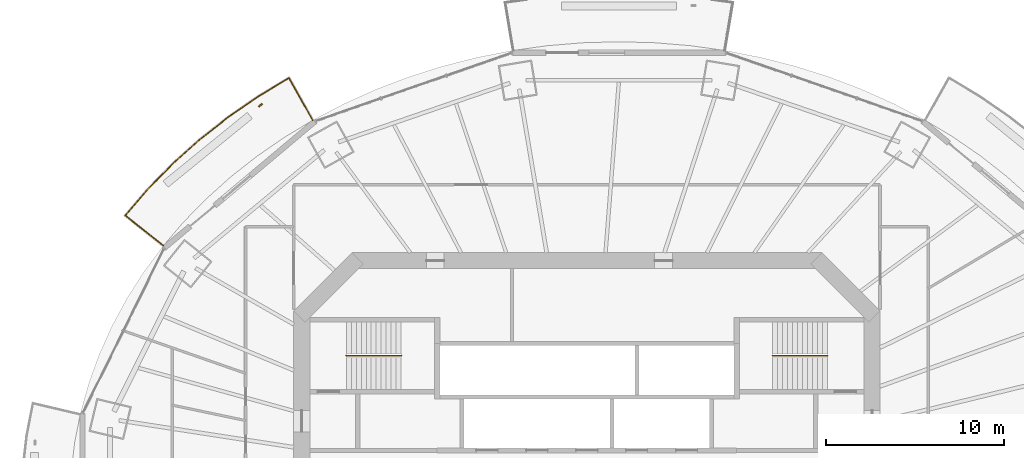
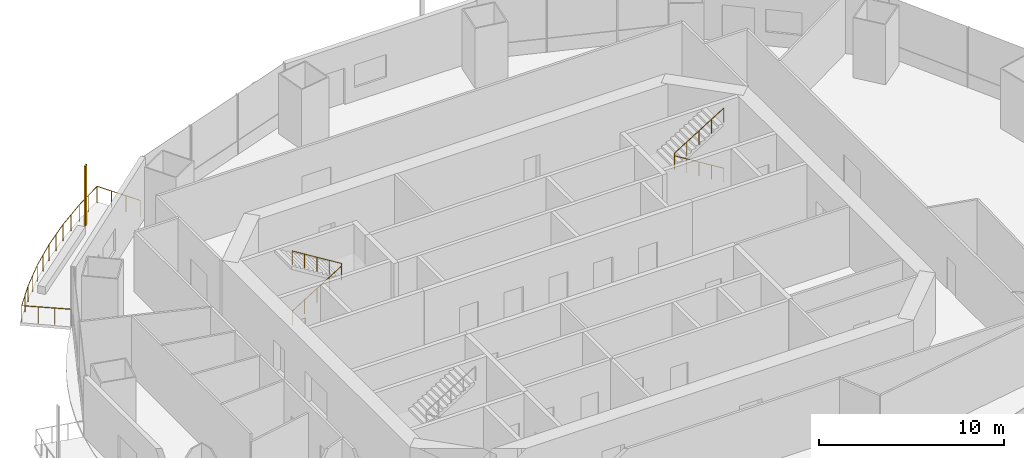
# One storey, part 16 of 19: 3 railings, 1 shading device.
"""IFC4 building model written with IfcOpenShell, lengths in metres."""

from ifc_helpers import new_model, si_unit, direction, frame, origin, origin_2d, place, context, subcontext, project, spatial, rectangle, circle, extrude, material, material_profile, profile_set, type_object, element, save


model = new_model("IFC4")

# Units and contexts
model_context = context("Model", 3, precision=1e-05, world=origin(), true_north=direction((0.0, 1.0)))
body_context = subcontext(model_context, "Body", "Model", "MODEL_VIEW")
ifc_project = project(units=[si_unit("LENGTHUNIT", "METRE"), si_unit("AREAUNIT", "SQUARE_METRE"), si_unit("VOLUMEUNIT", "CUBIC_METRE"), si_unit("PLANEANGLEUNIT", "RADIAN"), si_unit("MASSUNIT", "GRAM", prefix="KILO")], contexts=[model_context])

# Site, building, storey
site_placement = place(None, origin())
site = spatial("IfcSite", under=ifc_project, at=site_placement, CompositionType="ELEMENT")
building_placement = place(site_placement, origin())
building = spatial("IfcBuilding", under=site, at=building_placement, Name="Marenthal Gate Tower", CompositionType="ELEMENT")
storey_placement = place(building_placement, frame((0.0, 0.0, 227.449951171875)))
storey = spatial("IfcBuildingStorey", under=building, at=storey_placement, Name="L50", CompositionType="ELEMENT", Elevation=227.449951171875)

# Railings
ifc_material_1 = material(Name="Stainless steel", Category="steel")
railing_type_1 = type_object("IfcRailingType", Name="Balcony guard 1100", PredefinedType="GUARDRAIL", material=ifc_material_1)
railing_1_placement = place(storey_placement, frame((-23.76611328125, 13.843505859375, 0.0)))
element("IfcRailing", 1, at=railing_1_placement, inside=storey, type_object=railing_type_1, Name="Balcony guard L50 bay 6", PredefinedType="GUARDRAIL", context=body_context, shape_type="SweptSolid", body=[
    extrude(circle(Radius=0.02392578125, at=origin_2d()), frame((0.0, 0.0, 1.076171875), z_axis=(-0.782855020802, 0.62203005264, -0.014718356461), x_axis=(-0.622097438779, -0.78293982953, 0.0)), (0.0, 0.0, 1.0), 2.720458984375),
    extrude(circle(Radius=0.02392578125, at=origin_2d()), frame((-2.129638671875, 1.692138671875, 1.0361328125), z_axis=(0.649961690438, 0.7599669736, 0.0), x_axis=(-0.7599669736, 0.649961690438, 0.0)), (0.0, 0.0, 1.0), 1.915283203125),
    extrude(circle(Radius=0.02392578125, at=origin_2d()), frame((-0.884765625, 3.147705078125, 1.0361328125), z_axis=(0.698683190488, 0.71543119818, 0.0), x_axis=(-0.71543119818, 0.698683190488, 0.0)), (0.0, 0.0, 1.0), 2.01171875),
    extrude(circle(Radius=0.02392578125, at=origin_2d()), frame((0.520751953125, 4.5869140625, 1.0361328125), z_axis=(0.744394107791, 0.667740527665, 0.0), x_axis=(-0.667740527665, 0.744394107791, 0.0)), (0.0, 0.0, 1.0), 2.02880859375),
    extrude(circle(Radius=0.02392578125, at=origin_2d()), frame((2.031005859375, 5.941650390625, 1.0361328125), z_axis=(0.785792171054, 0.618490633648, 0.0), x_axis=(-0.618490633648, 0.785792171054, 0.0)), (0.0, 0.0, 1.0), 2.0458984375),
    extrude(circle(Radius=0.02392578125, at=origin_2d()), frame((3.638671875, 7.20703125, 1.0361328125), z_axis=(0.823243306464, 0.567688698462, 0.0), x_axis=(-0.567688698462, 0.823243306464, 0.0)), (0.0, 0.0, 1.0), 2.0625),
    extrude(circle(Radius=0.02392578125, at=origin_2d()), frame((5.336669921875, 8.3779296875, 1.0361328125), z_axis=(0.85605628785, 0.516882609528, 0.0), x_axis=(-0.516882609528, 0.85605628785, 0.0)), (0.0, 0.0, 1.0), 1.9990234375),
    extrude(circle(Radius=0.02392578125, at=origin_2d()), frame((7.0478515625, 9.4111328125, 1.0361328125), z_axis=(0.489867191078, -0.871672803179, 0.014719351289), x_axis=(0.871767246537, 0.489920266845, 0.0)), (0.0, 0.0, 1.0), 2.72021484375),
    extrude(circle(Radius=0.02099609375, at=origin_2d()), origin(), (0.0, 0.0, 1.0), 1.052001953125),
    extrude(circle(Radius=0.02099609375, at=origin_2d()), frame((-0.7099609375, 0.56396484375, -0.013427734375)), (0.0, 0.0, 1.0), 1.052001953125),
    extrude(circle(Radius=0.02099609375, at=origin_2d()), frame((-1.419677734375, 1.128173828125, -0.026611328125)), (0.0, 0.0, 1.0), 1.052001953125),
    extrude(circle(Radius=0.02099609375, at=origin_2d()), frame((-2.129638671875, 1.692138671875, -0.0400390625)), (0.0, 0.0, 1.0), 1.052001953125),
    extrude(circle(Radius=0.02099609375, at=origin_2d()), frame((-1.50732421875, 2.419921875, -0.0400390625)), (0.0, 0.0, 1.0), 1.052001953125),
    extrude(circle(Radius=0.02099609375, at=origin_2d()), frame((-0.884765625, 3.147705078125, -0.0400390625)), (0.0, 0.0, 1.0), 1.052001953125),
    extrude(circle(Radius=0.02099609375, at=origin_2d()), frame((-0.18212890625, 3.8671875, -0.0400390625)), (0.0, 0.0, 1.0), 1.052001953125),
    extrude(circle(Radius=0.02099609375, at=origin_2d()), frame((0.520751953125, 4.5869140625, -0.0400390625)), (0.0, 0.0, 1.0), 1.052001953125),
    extrude(circle(Radius=0.02099609375, at=origin_2d()), frame((1.27587890625, 5.26416015625, -0.0400390625)), (0.0, 0.0, 1.0), 1.052001953125),
    extrude(circle(Radius=0.02099609375, at=origin_2d()), frame((2.031005859375, 5.941650390625, -0.0400390625)), (0.0, 0.0, 1.0), 1.052001953125),
    extrude(circle(Radius=0.02099609375, at=origin_2d()), frame((2.8349609375, 6.57421875, -0.0400390625)), (0.0, 0.0, 1.0), 1.052001953125),
    extrude(circle(Radius=0.02099609375, at=origin_2d()), frame((3.638671875, 7.20703125, -0.0400390625)), (0.0, 0.0, 1.0), 1.052001953125),
    extrude(circle(Radius=0.02099609375, at=origin_2d()), frame((4.48779296875, 7.79248046875, -0.0400390625)), (0.0, 0.0, 1.0), 1.052001953125),
    extrude(circle(Radius=0.02099609375, at=origin_2d()), frame((5.336669921875, 8.3779296875, -0.0400390625)), (0.0, 0.0, 1.0), 1.052001953125),
    extrude(circle(Radius=0.02099609375, at=origin_2d()), frame((6.1923828125, 8.89453125, -0.0400390625)), (0.0, 0.0, 1.0), 1.052001953125),
    extrude(circle(Radius=0.02099609375, at=origin_2d()), frame((7.0478515625, 9.4111328125, -0.0400390625)), (0.0, 0.0, 1.0), 1.052001953125),
    extrude(circle(Radius=0.02099609375, at=origin_2d()), frame((7.491943359375, 8.620849609375, -0.026611328125)), (0.0, 0.0, 1.0), 1.052001953125),
    extrude(circle(Radius=0.02099609375, at=origin_2d()), frame((7.936279296875, 7.830322265625, -0.013427734375)), (0.0, 0.0, 1.0), 1.052001953125),
    extrude(circle(Radius=0.02099609375, at=origin_2d()), frame((8.38037109375, 7.0400390625, 0.0)), (0.0, 0.0, 1.0), 1.052001953125),
])
ifc_material_2 = material(Name="Stainless steel", Category="steel")
railing_type_2 = type_object("IfcRailingType", Name="Stair handrail", PredefinedType="HANDRAIL", material=ifc_material_2)
railing_2_placement = place(storey_placement, frame((-13.5, 7.675048828125, 0.1728515625)))
element("IfcRailing", 2, at=railing_2_placement, inside=storey, type_object=railing_type_2, Name="Handrail ST1", PredefinedType="HANDRAIL", context=body_context, shape_type="SweptSolid", body=[
    extrude(circle(Radius=0.0224609375, at=origin_2d()), frame((0.0, 0.0, 0.927490234375), z_axis=(0.850835241893, 0.0, 0.525432575268), x_axis=(0.0, 1.0, 0.0)), (0.0, 0.0, 1.0), 3.6201171875),
    extrude(circle(Radius=0.0224609375, at=origin_2d()), frame((3.080078125, 0.0, 2.82958984375), z_axis=(0.0, 0.0, 1.0), x_axis=(1.0, 0.0, 0.0)), (0.0, 0.0, 1.0), 0.173095703125),
    extrude(circle(Radius=0.0224609375, at=origin_2d()), frame((3.080078125, 0.0, 3.002685546875), z_axis=(-0.850835241893, 0.0, 0.525432575268), x_axis=(0.0, -1.0, 0.0)), (0.0, 0.0, 1.0), 3.6201171875),
    extrude(circle(Radius=0.02001953125, at=origin_2d()), origin(), (0.0, 0.0, 1.0), 0.905029296875),
    extrude(circle(Radius=0.02001953125, at=origin_2d()), frame((0.77001953125, 0.0, 0.4755859375)), (0.0, 0.0, 1.0), 0.905029296875),
    extrude(circle(Radius=0.02001953125, at=origin_2d()), frame((1.5400390625, 0.0, 0.951171875)), (0.0, 0.0, 1.0), 0.905029296875),
    extrude(circle(Radius=0.02001953125, at=origin_2d()), frame((2.31005859375, 0.0, 1.426513671875)), (0.0, 0.0, 1.0), 0.905029296875),
    extrude(circle(Radius=0.02001953125, at=origin_2d()), frame((3.080078125, 0.0, 1.902099609375)), (0.0, 0.0, 1.0), 0.905029296875),
    extrude(circle(Radius=0.02001953125, at=origin_2d()), frame((3.080078125, 0.0, 2.0751953125)), (0.0, 0.0, 1.0), 0.905029296875),
    extrude(circle(Radius=0.02001953125, at=origin_2d()), frame((2.31005859375, 0.0, 2.55078125)), (0.0, 0.0, 1.0), 0.905029296875),
    extrude(circle(Radius=0.02001953125, at=origin_2d()), frame((1.5400390625, 0.0, 3.0263671875)), (0.0, 0.0, 1.0), 0.905029296875),
    extrude(circle(Radius=0.02001953125, at=origin_2d()), frame((0.77001953125, 0.0, 3.501708984375)), (0.0, 0.0, 1.0), 0.905029296875),
    extrude(circle(Radius=0.02001953125, at=origin_2d()), frame((0.0, 0.0, 3.977294921875)), (0.0, 0.0, 1.0), 0.905029296875),
])
railing_3_placement = place(storey_placement, frame((13.5, 7.675048828125, 0.1728515625)))
element("IfcRailing", 3, at=railing_3_placement, inside=storey, type_object=railing_type_2, Name="Handrail ST3", PredefinedType="HANDRAIL", context=body_context, shape_type="SweptSolid", body=[
    extrude(circle(Radius=0.0224609375, at=origin_2d()), frame((0.0, 0.0, 0.927490234375), z_axis=(-0.850835241893, 0.0, 0.525432575268), x_axis=(0.0, -1.0, 0.0)), (0.0, 0.0, 1.0), 3.6201171875),
    extrude(circle(Radius=0.0224609375, at=origin_2d()), frame((-3.080078125, 0.0, 2.82958984375), z_axis=(0.0, 0.0, 1.0), x_axis=(1.0, 0.0, 0.0)), (0.0, 0.0, 1.0), 0.173095703125),
    extrude(circle(Radius=0.0224609375, at=origin_2d()), frame((-3.080078125, 0.0, 3.002685546875), z_axis=(0.850835241893, 0.0, 0.525432575268), x_axis=(0.0, 1.0, 0.0)), (0.0, 0.0, 1.0), 3.6201171875),
    extrude(circle(Radius=0.02001953125, at=origin_2d()), origin(), (0.0, 0.0, 1.0), 0.905029296875),
    extrude(circle(Radius=0.02001953125, at=origin_2d()), frame((-0.77001953125, 0.0, 0.4755859375)), (0.0, 0.0, 1.0), 0.905029296875),
    extrude(circle(Radius=0.02001953125, at=origin_2d()), frame((-1.5400390625, 0.0, 0.951171875)), (0.0, 0.0, 1.0), 0.905029296875),
    extrude(circle(Radius=0.02001953125, at=origin_2d()), frame((-2.31005859375, 0.0, 1.426513671875)), (0.0, 0.0, 1.0), 0.905029296875),
    extrude(circle(Radius=0.02001953125, at=origin_2d()), frame((-3.080078125, 0.0, 1.902099609375)), (0.0, 0.0, 1.0), 0.905029296875),
    extrude(circle(Radius=0.02001953125, at=origin_2d()), frame((-3.080078125, 0.0, 2.0751953125)), (0.0, 0.0, 1.0), 0.905029296875),
    extrude(circle(Radius=0.02001953125, at=origin_2d()), frame((-2.31005859375, 0.0, 2.55078125)), (0.0, 0.0, 1.0), 0.905029296875),
    extrude(circle(Radius=0.02001953125, at=origin_2d()), frame((-1.5400390625, 0.0, 3.0263671875)), (0.0, 0.0, 1.0), 0.905029296875),
    extrude(circle(Radius=0.02001953125, at=origin_2d()), frame((-0.77001953125, 0.0, 3.501708984375)), (0.0, 0.0, 1.0), 0.905029296875),
    extrude(circle(Radius=0.02001953125, at=origin_2d()), frame((0.0, 0.0, 3.977294921875)), (0.0, 0.0, 1.0), 0.905029296875),
])

# Shading device
ifc_material_3 = material(Name="Terracotta", Category="masonry")
ifc_material_profile = material_profile(ifc_material_3, rectangle(XDim=0.25, YDim=0.080078125, at=origin_2d()), Name="Terracotta baguette 250x80")
ifc_profile_set = profile_set([ifc_material_profile], Name="Terracotta")
shading_device_type = type_object("IfcShadingDeviceType", Name="Terracotta BAGUETTE SCREEN 250x80", PredefinedType="USERDEFINED", material=ifc_profile_set)
shading_device_placement = place(storey_placement, frame((-18.320556640625, 21.72802734375, -0.0400390625), z_axis=(0.0, 0.0, 1.0), x_axis=(-0.765550876952, -0.643375360732, 0.0)))
element("IfcShadingDevice", 4, at=shading_device_placement, inside=storey, type_object=shading_device_type, Name="Terracotta BAGUETTE L50 bay 6L", ObjectType="BAGUETTE SCREEN", PredefinedType="USERDEFINED", context=body_context, shape_type="SweptSolid", body=[
    extrude(rectangle(XDim=0.25, YDim=0.080078125, at=origin_2d()), origin(), (0.0, 0.0, 1.0), 3.969970703125),
])

save(model, "model.ifc")
